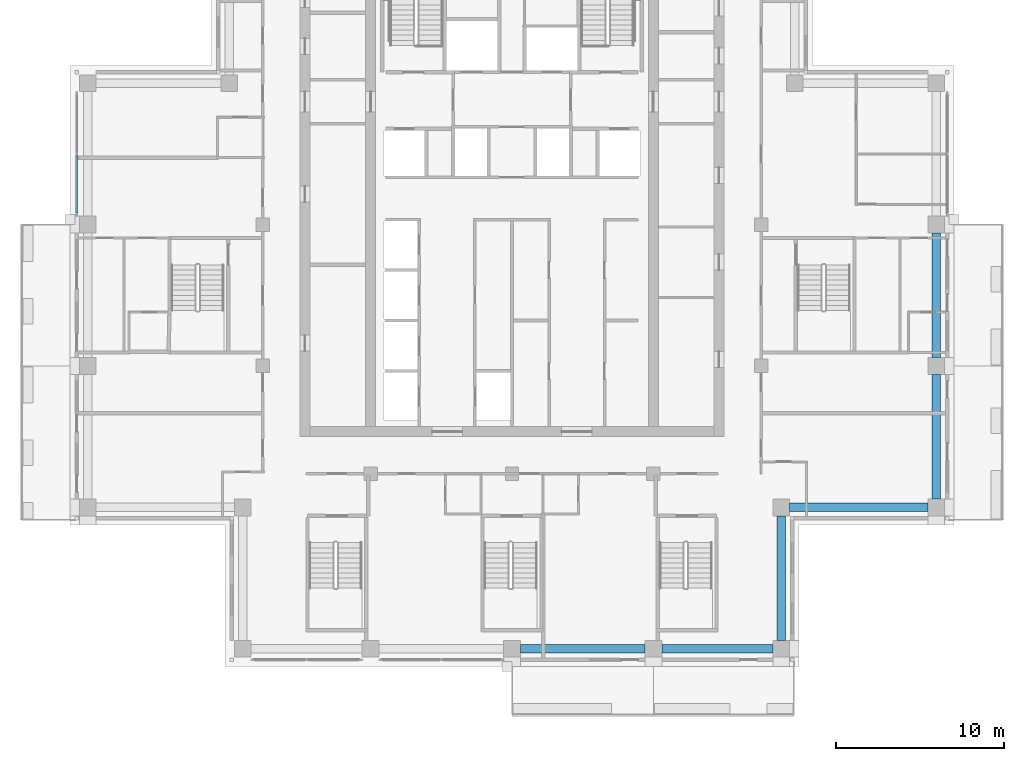
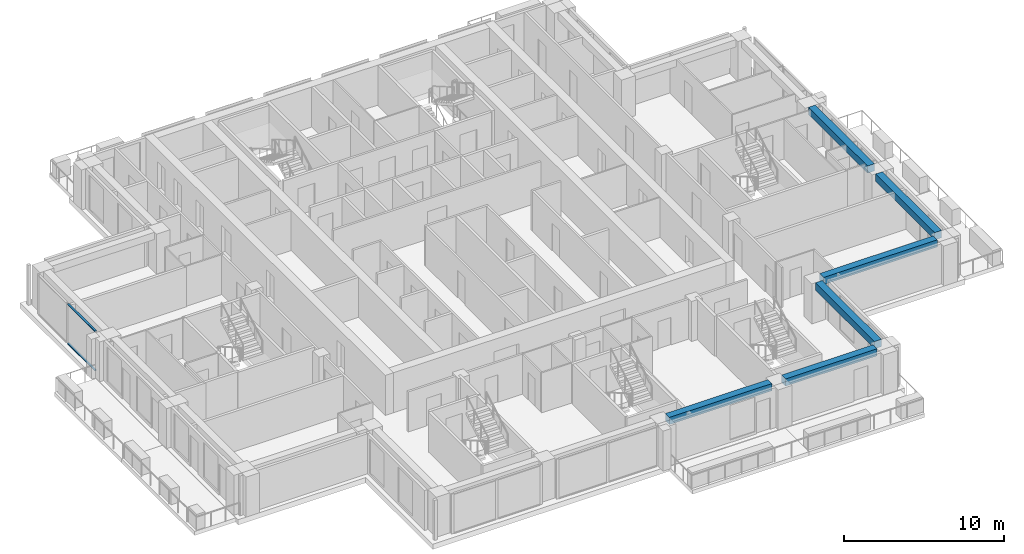
# One storey, part 3 of 17: 6 beams, 2 members, 1 element without a shape of its own.
"""IFC4 building model written with IfcOpenShell, lengths in metres."""

from ifc_helpers import new_model, si_unit, direction, frame, origin, origin_2d, place, context, subcontext, project, spatial, rectangle, extrude, material, material_profile, profile_set, type_object, element, aggregate, save


model = new_model("IFC4")

# Units and contexts
model_context = context("Model", 3, precision=1e-05, world=origin(), true_north=direction((0.0, 1.0)))
body_context = subcontext(model_context, "Body", "Model", "MODEL_VIEW")
ifc_project = project(units=[si_unit("LENGTHUNIT", "METRE"), si_unit("AREAUNIT", "SQUARE_METRE"), si_unit("VOLUMEUNIT", "CUBIC_METRE"), si_unit("PLANEANGLEUNIT", "RADIAN"), si_unit("MASSUNIT", "GRAM", prefix="KILO")], contexts=[model_context])

# Site, building, storey
site_placement = place(None, origin())
site = spatial("IfcSite", under=ifc_project, at=site_placement, CompositionType="ELEMENT")
building_placement = place(site_placement, origin())
building = spatial("IfcBuilding", under=site, at=building_placement, Name="Vermilion Ogive Tower", CompositionType="ELEMENT")
storey_placement = place(building_placement, frame((0.0, 0.0, 203.14990234375)))
storey = spatial("IfcBuildingStorey", under=building, at=storey_placement, Name="L53", CompositionType="ELEMENT", Elevation=203.14990234375)

# Curtain wall, members
ifc_material_1 = material(Name="Low-iron laminated glazing in aluminium frame", Category="aluminium")
curtain_wall_type = type_object("IfcCurtainWallType", Name="Curtain wall CW7", PredefinedType="NOTDEFINED", material=ifc_material_1)
curtain_wall_placement = place(storey_placement, origin())
curtain_wall = element("IfcCurtainWall", 1, at=curtain_wall_placement, inside=storey, type_object=curtain_wall_type, Name="Glazed skin W1", PredefinedType="NOTDEFINED")
ifc_material_2 = material(Name="Aluminium transom", Category="aluminium")
ifc_material_profile_1 = material_profile(ifc_material_2, rectangle(XDim=0.139892578125, YDim=0.06005859375, at=origin_2d()), Name="AL 60x140")
ifc_profile_set_1 = profile_set([ifc_material_profile_1], Name="Aluminium transom")
member_type = type_object("IfcMemberType", Name="CW7 transom 60x140", PredefinedType="USERDEFINED", material=ifc_profile_set_1)
member_1_placement = place(storey_placement, frame((-25.85009765625, 8.31005859375, 0.030029296875), z_axis=(0.0, -1.0, 0.0), x_axis=(1.0, 0.0, 0.0)))
member_1 = element("IfcMember", 2, at=member_1_placement, type_object=member_type, Name="CW7-W1 transom 2.1", ObjectType="TRANSOM", PredefinedType="USERDEFINED", context=body_context, shape_type="SweptSolid", body=[
    extrude(rectangle(XDim=0.139892578125, YDim=0.06005859375, at=origin_2d()), origin(), (0.0, 0.0, 1.0), 3.43017578125),
])
member_2_placement = place(storey_placement, frame((-25.85009765625, 8.31005859375, 3.02001953125), z_axis=(0.0, -1.0, 0.0), x_axis=(1.0, 0.0, 0.0)))
member_2 = element("IfcMember", 3, at=member_2_placement, type_object=member_type, Name="CW7-W1 transom 2.2", ObjectType="TRANSOM", PredefinedType="USERDEFINED", context=body_context, shape_type="SweptSolid", body=[
    extrude(rectangle(XDim=0.139892578125, YDim=0.06005859375, at=origin_2d()), origin(), (0.0, 0.0, 1.0), 3.43017578125),
])
aggregate(curtain_wall, [member_1, member_2])

# Beams
ifc_material_3 = material(Name="Concrete B45", Category="concrete")
ifc_material_profile_2 = material_profile(ifc_material_3, rectangle(XDim=0.5, YDim=0.550048828125, at=origin_2d()), Name="500 x 550")
ifc_profile_set_2 = profile_set([ifc_material_profile_2], Name="Concrete B45")
beam_type = type_object("IfcBeamType", Name="Edge beam 500 x 550 B45", PredefinedType="BEAM", material=ifc_profile_set_2)
beam_1_placement = place(storey_placement, frame((0.5, -21.0, 2.775146484375), z_axis=(1.0, 0.0, 0.0), x_axis=(0.0, 1.0, 0.0)))
element("IfcBeam", 4, at=beam_1_placement, inside=storey, type_object=beam_type, Name="L53-EB-3", PredefinedType="BEAM", context=body_context, shape_type="SweptSolid", body=[
    extrude(rectangle(XDim=0.5, YDim=0.550048828125, at=origin_2d()), origin(), (0.0, 0.0, 1.0), 7.39990234375),
])
beam_2_placement = place(storey_placement, frame((8.89990234375, -21.0, 2.775146484375), z_axis=(1.0, 0.0, 0.0), x_axis=(0.0, 1.0, 0.0)))
element("IfcBeam", 5, at=beam_2_placement, inside=storey, type_object=beam_type, Name="L53-EB-4", PredefinedType="BEAM", context=body_context, shape_type="SweptSolid", body=[
    extrude(rectangle(XDim=0.5, YDim=0.550048828125, at=origin_2d()), origin(), (0.0, 0.0, 1.0), 6.60009765625),
])
beam_3_placement = place(storey_placement, frame((16.0, -20.5, 2.775146484375), z_axis=(0.0, 1.0, 0.0), x_axis=(-1.0, 0.0, 0.0)))
element("IfcBeam", 6, at=beam_3_placement, inside=storey, type_object=beam_type, Name="L53-EB-5", PredefinedType="BEAM", context=body_context, shape_type="SweptSolid", body=[
    extrude(rectangle(XDim=0.5, YDim=0.550048828125, at=origin_2d()), origin(), (0.0, 0.0, 1.0), 7.39990234375),
])
beam_4_placement = place(storey_placement, frame((16.5, -12.60009765625, 2.775146484375), z_axis=(1.0, 0.0, 0.0), x_axis=(0.0, 1.0, 0.0)))
element("IfcBeam", 7, at=beam_4_placement, inside=storey, type_object=beam_type, Name="L53-EB-6", PredefinedType="BEAM", context=body_context, shape_type="SweptSolid", body=[
    extrude(rectangle(XDim=0.5, YDim=0.550048828125, at=origin_2d()), origin(), (0.0, 0.0, 1.0), 8.199951171875),
])
beam_5_placement = place(storey_placement, frame((25.199951171875, -12.10009765625, 2.775146484375), z_axis=(0.0, 1.0, 0.0), x_axis=(-1.0, 0.0, 0.0)))
element("IfcBeam", 8, at=beam_5_placement, inside=storey, type_object=beam_type, Name="L53-EB-7", PredefinedType="BEAM", context=body_context, shape_type="SweptSolid", body=[
    extrude(rectangle(XDim=0.5, YDim=0.550048828125, at=origin_2d()), origin(), (0.0, 0.0, 1.0), 7.400146484375),
])
beam_6_placement = place(storey_placement, frame((25.199951171875, -3.699951171875, 2.775146484375), z_axis=(0.0, 1.0, 0.0), x_axis=(-1.0, 0.0, 0.0)))
element("IfcBeam", 9, at=beam_6_placement, inside=storey, type_object=beam_type, Name="L53-EB-8", PredefinedType="BEAM", context=body_context, shape_type="SweptSolid", body=[
    extrude(rectangle(XDim=0.5, YDim=0.550048828125, at=origin_2d()), origin(), (0.0, 0.0, 1.0), 7.39990234375),
])

save(model, "model.ifc")
